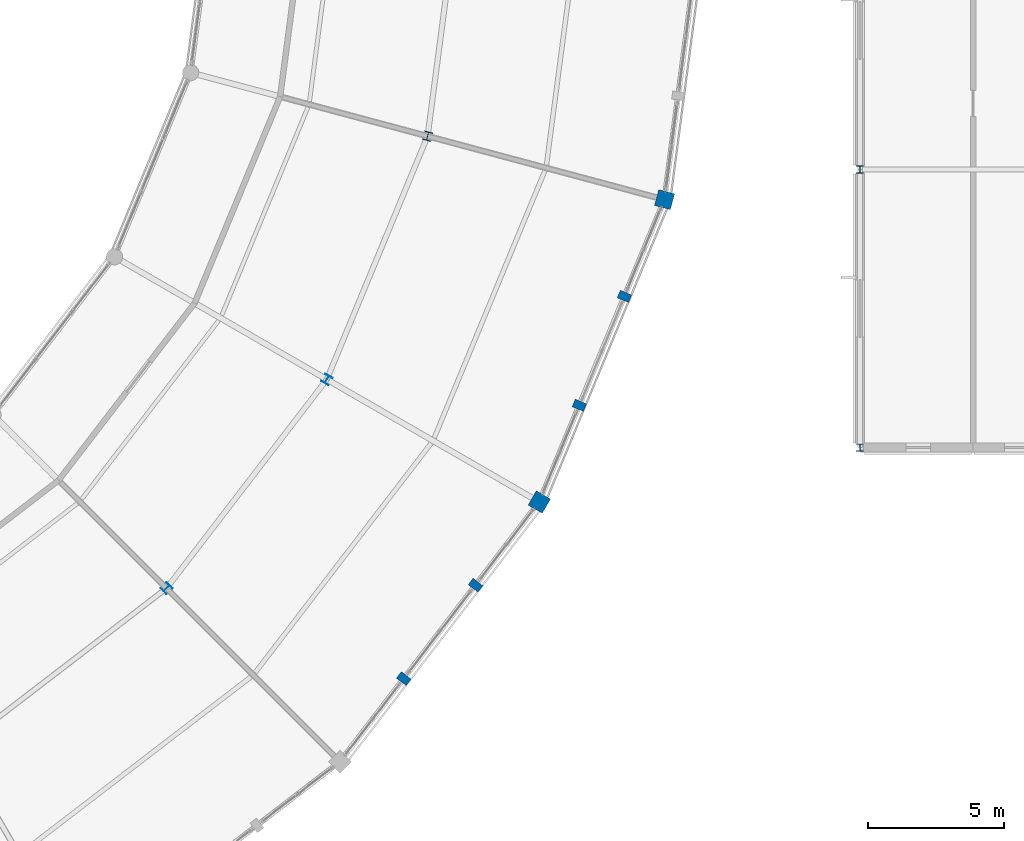
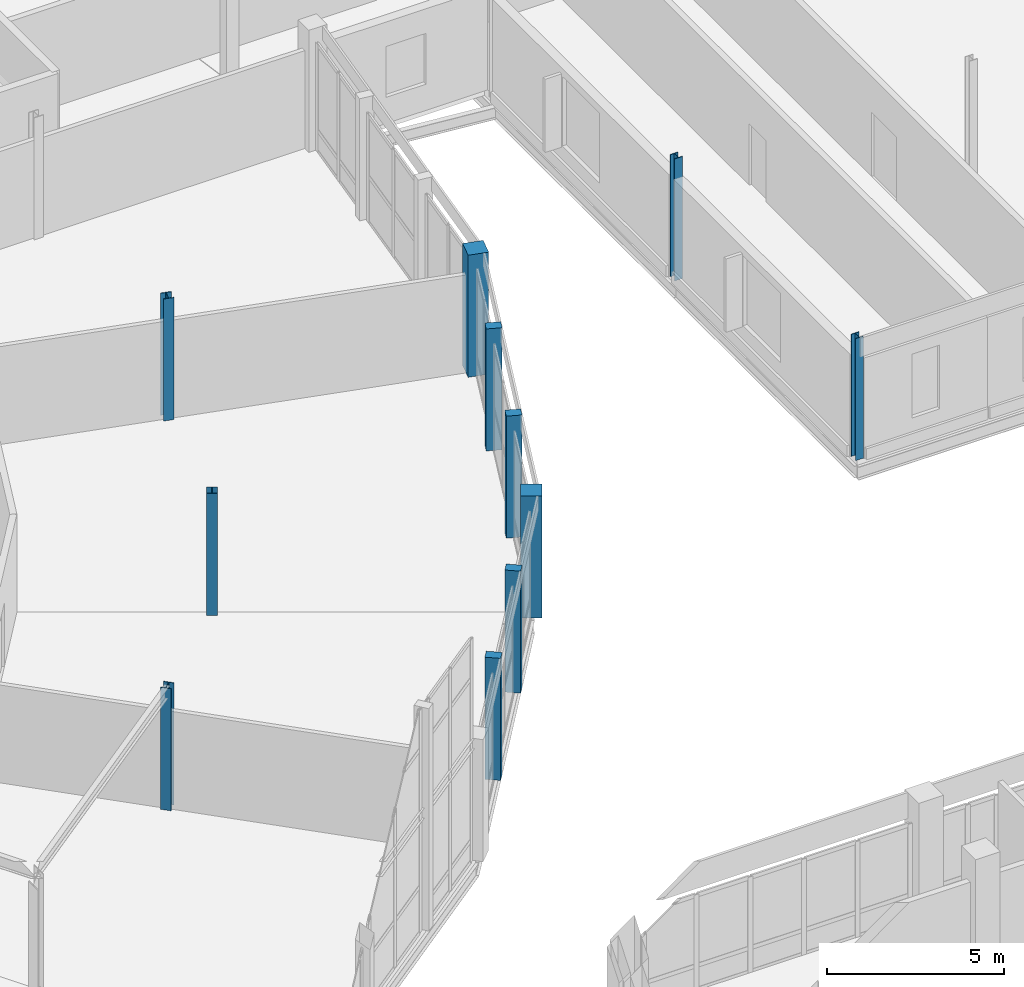
# One storey, part 15 of 170: 11 columns.
"""IFC4 building model written with IfcOpenShell, lengths in metres."""

from ifc_helpers import new_model, si_unit, direction, frame, origin, origin_2d, place, context, subcontext, project, spatial, rectangle, i_section, extrude, material, material_profile, profile_set, type_object, element, save


model = new_model("IFC4")

# Units and contexts
model_context = context("Model", 3, precision=1e-05, world=origin(), true_north=direction((0.0, 1.0)))
body_context = subcontext(model_context, "Body", "Model", "MODEL_VIEW")
ifc_project = project(units=[si_unit("LENGTHUNIT", "METRE"), si_unit("AREAUNIT", "SQUARE_METRE"), si_unit("VOLUMEUNIT", "CUBIC_METRE"), si_unit("PLANEANGLEUNIT", "RADIAN"), si_unit("MASSUNIT", "GRAM", prefix="KILO")], contexts=[model_context])

# Site, building, storey
site_placement = place(None, origin())
site = spatial("IfcSite", under=ifc_project, at=site_placement, CompositionType="ELEMENT")
building_placement = place(site_placement, origin())
building = spatial("IfcBuilding", under=site, at=building_placement, Name="Vondelvale Polytechnic", CompositionType="ELEMENT")
storey_placement = place(building_placement, frame((0.0, 0.0, 5.39990234375)))
storey = spatial("IfcBuildingStorey", under=building, at=storey_placement, Name="L01", CompositionType="ELEMENT", Elevation=5.39990234375)

# Columns
ifc_material_1 = material(Name="Glulam GL18 structural Tasmanian oak (fb = 42 MPa)", Category="wood")
ifc_material_profile_1 = material_profile(ifc_material_1, rectangle(XDim=0.300048828125, YDim=0.449951171875, at=origin_2d()), Name="GL-POST-300x450")
ifc_profile_set_1 = profile_set([ifc_material_profile_1], Name="Glulam GL18 structural Tasmanian oak (fb = 42 MPa)")
column_type_1 = type_object("IfcColumnType", Name="COL-GLULAM-300x450", PredefinedType="PILASTER", material=ifc_profile_set_1)
for number, where, z_axis, x_axis, name in (
    (1, (136.8662109375, 42.521728515625, 0.0), (0.0, 0.0, 1.0), (0.608761429009, 0.793353340291, 0.0), "L01 ring outer glulam timber post C21-P1"),
    (2, (139.497802734375, 45.951416015625, 0.0), (0.0, 0.0, 1.0), (0.608761429009, 0.793353340291, 0.0), "L01 ring outer glulam timber post C21-P2"),
    (3, (143.3076171875, 52.55029296875, 0.0), (0.0, 0.0, 1.0), (0.382683432365, 0.923879532511, 0.0), "L01 ring outer glulam timber post C22-P1"),
    (4, (144.962158203125, 56.544189453125, 0.0), (0.0, 0.0, 1.0), (0.382683432365, 0.923879532511, 0.0), "L01 ring outer glulam timber post C22-P2"),
):
    element("IfcColumn", number, at=place(storey_placement, frame(where, z_axis=z_axis, x_axis=x_axis)), inside=storey, type_object=column_type_1, Name=name, PredefinedType="PILASTER", context=body_context, shape_type="SweptSolid", body=[
        extrude(rectangle(XDim=0.300048828125, YDim=0.449951171875, at=origin_2d()), origin(), (0.0, 0.0, 1.0), 4.2001953125),
    ])
ifc_material_2 = material(Name="Concrete N50 (f'c = 50 MPa)", Category="concrete")
ifc_material_profile_2 = material_profile(ifc_material_2, rectangle(XDim=0.60009765625, YDim=0.60009765625, at=origin_2d()), Name="RC-COL-600x600")
ifc_profile_set_2 = profile_set([ifc_material_profile_2], Name="Concrete N50 (f'c = 50 MPa)")
column_type_2 = type_object("IfcColumnType", Name="COL-RC600", PredefinedType="COLUMN", material=ifc_profile_set_2)
for number, where, z_axis, x_axis, name in (
    (5, (141.837158203125, 49.0, 0.0), (0.0, 0.0, 1.0), (-0.866025403784, 0.5, 0.0), "L01 courtyard ring column S22-RO"),
    (6, (146.4326171875, 60.09423828125, 0.0), (0.0, 0.0, 1.0), (-0.965925826289, 0.258819045103, 0.0), "L01 courtyard ring column S23-RO"),
):
    element("IfcColumn", number, at=place(storey_placement, frame(where, z_axis=z_axis, x_axis=x_axis)), inside=storey, type_object=column_type_2, Name=name, PredefinedType="COLUMN", context=body_context, shape_type="SweptSolid", body=[
        extrude(rectangle(XDim=0.60009765625, YDim=0.60009765625, at=origin_2d()), origin(), (0.0, 0.0, 1.0), 4.2001953125),
    ])
ifc_material_3 = material(Name="Steel 300PLUS (fy = 300 MPa)", Category="steel")
ifc_material_profile_3 = material_profile(ifc_material_3, i_section(OverallWidth=0.256103515625, OverallDepth=0.260009765625, WebThickness=0.010498046875, FlangeThickness=0.017333984375, FilletRadius=0.013916015625, at=origin_2d()), Name="250UC89.5")
ifc_profile_set_3 = profile_set([ifc_material_profile_3], Name="Steel 300PLUS (fy = 300 MPa)")
column_type_3 = type_object("IfcColumnType", Name="COL-UC250", PredefinedType="COLUMN", material=ifc_profile_set_3)
for number, where, z_axis, x_axis, name in (
    (7, (153.60009765625, 51.0, 0.0), (0.0, 0.0, 1.0), (1.0, 0.0, 0.0), "L01 East pavilion column (153.6,51.0)"),
    (8, (153.60009765625, 61.199951171875, 0.0), (0.0, 0.0, 1.0), (1.0, 0.0, 0.0), "L01 East pavilion column (153.6,61.2)"),
):
    element("IfcColumn", number, at=place(storey_placement, frame(where, z_axis=z_axis, x_axis=x_axis)), inside=storey, type_object=column_type_3, Name=name, PredefinedType="COLUMN", context=body_context, shape_type="SweptSolid", body=[
        extrude(i_section(OverallWidth=0.256103515625, OverallDepth=0.260009765625, WebThickness=0.010498046875, FlangeThickness=0.017333984375, FilletRadius=0.013916015625, at=origin_2d()), origin(), (0.0, 0.0, 1.0), 4.2001953125),
    ])
ifc_material_profile_4 = material_profile(ifc_material_3, i_section(OverallWidth=0.306884765625, OverallDepth=0.31494140625, WebThickness=0.011962890625, FlangeThickness=0.018798828125, FilletRadius=0.0166015625, at=origin_2d()), Name="310UC118")
ifc_profile_set_4 = profile_set([ifc_material_profile_4], Name="Steel 300PLUS (fy = 300 MPa)")
column_type_4 = type_object("IfcColumnType", Name="COL-UC310", PredefinedType="COLUMN", material=ifc_profile_set_4)
for number, where, z_axis, x_axis, name in (
    (9, (128.1630859375, 45.8369140625, 0.0), (0.0, 0.0, 1.0), (-0.707106781187, 0.707106781187, 0.0), "L01 courtyard ring column S21-RM"),
    (10, (134.04296875, 53.5, 0.0), (0.0, 0.0, 1.0), (-0.866025403784, 0.5, 0.0), "L01 courtyard ring column S22-RM"),
    (11, (137.7392578125, 62.423583984375, 0.0), (0.0, 0.0, 1.0), (-0.965925826289, 0.258819045103, 0.0), "L01 courtyard ring column S23-RM"),
):
    element("IfcColumn", number, at=place(storey_placement, frame(where, z_axis=z_axis, x_axis=x_axis)), inside=storey, type_object=column_type_4, Name=name, PredefinedType="COLUMN", context=body_context, shape_type="SweptSolid", body=[
        extrude(i_section(OverallWidth=0.306884765625, OverallDepth=0.31494140625, WebThickness=0.011962890625, FlangeThickness=0.018798828125, FilletRadius=0.0166015625, at=origin_2d()), origin(), (0.0, 0.0, 1.0), 4.2001953125),
    ])

save(model, "model.ifc")
